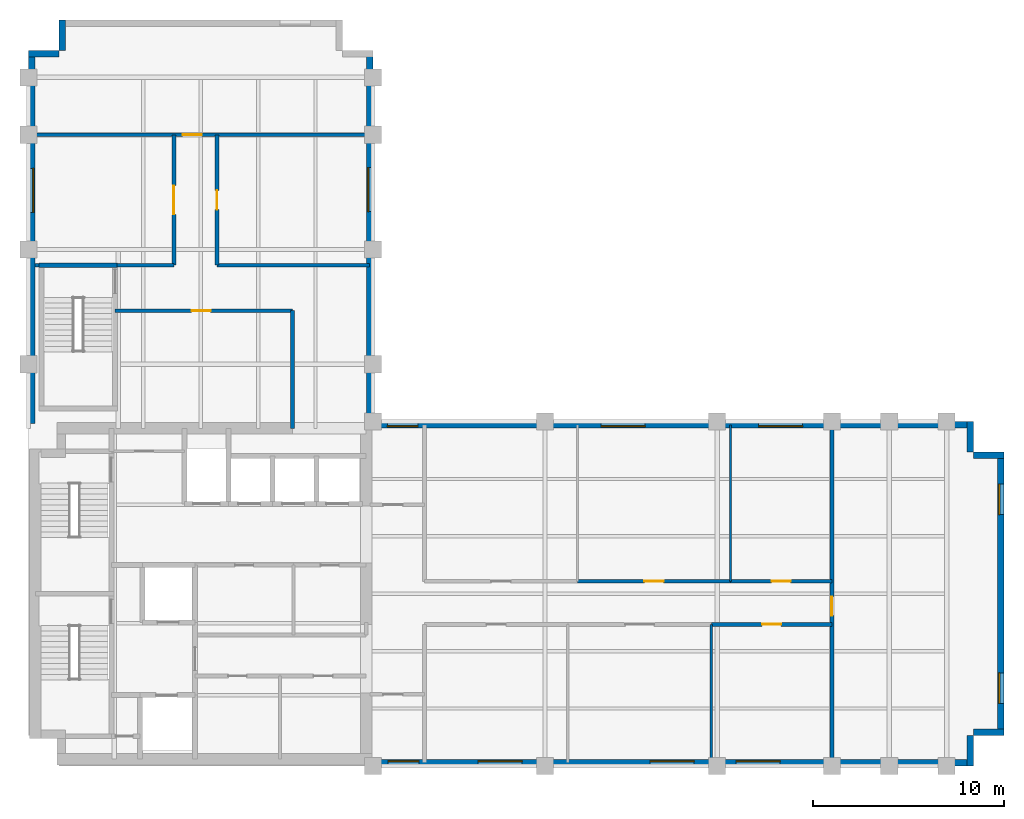
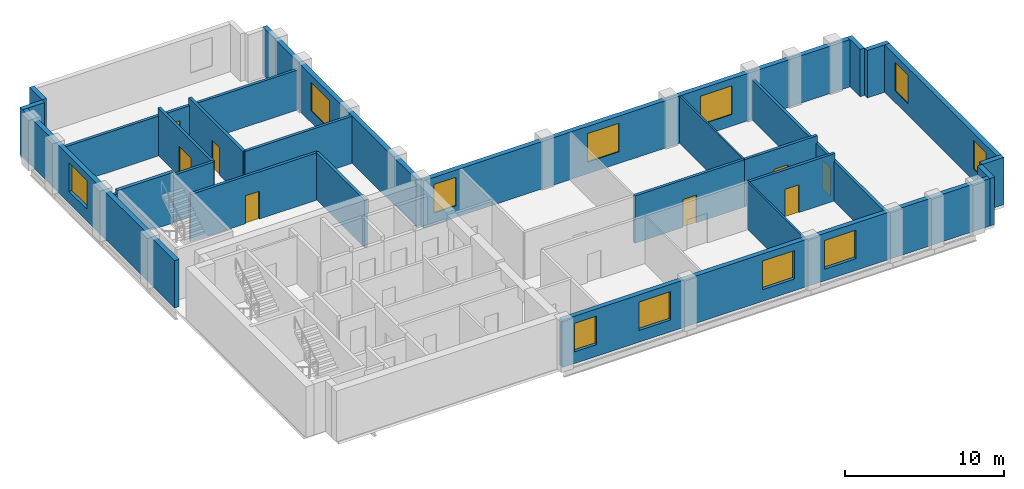
# One storey, part 4 of 6: 26 walls, 11 windows, 8 doors, 19 openings.
"""IFC4 building model written with IfcOpenShell, lengths in metres."""

from ifc_helpers import new_model, si_unit, direction, frame, frame_2d, origin, place, context, subcontext, project, spatial, rectangle, extrude, material, layer, layer_set, type_object, element, fill, save


model = new_model("IFC4")

# Units and contexts
model_context = context("Model", 3, precision=1e-05, world=origin(), true_north=direction((0.0, 1.0)))
body_context = subcontext(model_context, "Body", "Model", "MODEL_VIEW")
ifc_project = project(units=[si_unit("LENGTHUNIT", "METRE"), si_unit("AREAUNIT", "SQUARE_METRE"), si_unit("VOLUMEUNIT", "CUBIC_METRE"), si_unit("PLANEANGLEUNIT", "RADIAN"), si_unit("MASSUNIT", "GRAM", prefix="KILO")], contexts=[model_context])

# Site, building, storey
site_placement = place(None, origin())
site = spatial("IfcSite", under=ifc_project, at=site_placement, CompositionType="ELEMENT")
building_placement = place(site_placement, origin())
building = spatial("IfcBuilding", under=site, at=building_placement, Name="Mawjdan Bourse Tower", CompositionType="ELEMENT")
storey_placement = place(building_placement, frame((0.0, 0.0, 219.0)))
storey = spatial("IfcBuildingStorey", under=building, at=storey_placement, Name="L53", CompositionType="ELEMENT", Elevation=219.0)

# Wall, openings, windows
ifc_material_1 = material(Name="Brick Masonry Buff", Category="masonry")
ifc_layer_1 = layer(ifc_material_1, 0.340087890625)
ifc_layer_set_1 = layer_set([ifc_layer_1], Name="Brick Masonry Buff")
wall_type_1 = type_object("IfcWallType", Name="WL-BRK-SPN-340", PredefinedType="STANDARD", material=ifc_layer_set_1)
wall_1_placement = place(storey_placement, frame((23.89990234375, 3.169921875, 0.0), z_axis=(0.0, 0.0, 1.0), x_axis=(1.0, 0.0, 0.0)))
wall_1 = element("IfcWall", 1, at=wall_1_placement, inside=storey, type_object=wall_type_1, Name="L53 Exterior Brick Wall 1", PredefinedType="STANDARD", context=body_context, shape_type="SweptSolid", body=[
    extrude(rectangle(XDim=31.5, YDim=0.340087890625, at=frame_2d((15.75, 0.0))), origin(), (0.0, 0.0, 1.0), 3.64990234375),
])
opening_1_placement = place(wall_1_placement, frame((5.60009765625, 0.0, 0.89990234375)))
opening_1 = element("IfcOpeningElement", 2, at=opening_1_placement, cuts=wall_1, Name="Opening W-L53-01", PredefinedType="OPENING", context=body_context, shape_type="SweptSolid", body=[
    extrude(rectangle(XDim=2.300048828125, YDim=2.199951171875, at=frame_2d((1.14990234375, 1.10009765625))), frame((0.0, 0.18017578125, 0.0), z_axis=(0.0, -1.0, 0.0), x_axis=(1.0, 0.0, 0.0)), (0.0, 0.0, 1.0), 0.360107421875),
])
opening_2_placement = place(wall_1_placement, frame((14.60009765625, 0.0, 0.89990234375)))
opening_2 = element("IfcOpeningElement", 3, at=opening_2_placement, cuts=wall_1, Name="Opening W-L53-02", PredefinedType="OPENING", context=body_context, shape_type="SweptSolid", body=[
    extrude(rectangle(XDim=2.300048828125, YDim=2.199951171875, at=frame_2d((1.14990234375, 1.10009765625))), frame((0.0, 0.18017578125, 0.0), z_axis=(0.0, -1.0, 0.0), x_axis=(1.0, 0.0, 0.0)), (0.0, 0.0, 1.0), 0.360107421875),
])
opening_3_placement = place(wall_1_placement, frame((19.10009765625, 0.0, 0.89990234375)))
opening_3 = element("IfcOpeningElement", 4, at=opening_3_placement, cuts=wall_1, Name="Opening W-L53-03", PredefinedType="OPENING", context=body_context, shape_type="SweptSolid", body=[
    extrude(rectangle(XDim=2.300048828125, YDim=2.199951171875, at=frame_2d((1.14990234375, 1.10009765625))), frame((0.0, 0.18017578125, 0.0), z_axis=(0.0, -1.0, 0.0), x_axis=(1.0, 0.0, 0.0)), (0.0, 0.0, 1.0), 0.360107421875),
])
opening_4_placement = place(wall_1_placement, frame((0.89990234375, 0.0, 0.89990234375)))
opening_4 = element("IfcOpeningElement", 5, at=opening_4_placement, cuts=wall_1, Name="Opening W-L53-10", PredefinedType="OPENING", context=body_context, shape_type="SweptSolid", body=[
    extrude(rectangle(XDim=1.60009765625, YDim=2.199951171875, at=frame_2d((0.800048828125, 1.10009765625))), frame((0.0, 0.18017578125, 0.0), z_axis=(0.0, -1.0, 0.0), x_axis=(1.0, 0.0, 0.0)), (0.0, 0.0, 1.0), 0.360107421875),
])
ifc_material_2 = material(Name="Solar-Control Clear Double Glazing", Category="glass")
window_type_1 = type_object("IfcWindowType", Name="WN-Z3-1600", PartitioningType="SINGLE_PANEL", PredefinedType="WINDOW", material=ifc_material_2)
window_1_placement = place(opening_4_placement, origin())
window_1 = element("IfcWindow", 6, at=window_1_placement, inside=storey, type_object=window_type_1, Name="L53 Deep-Set Masonry Window W-L53-10", OverallHeight=2.199951171875, OverallWidth=1.60009765625, PartitioningType="SINGLE_PANEL", PredefinedType="WINDOW", context=body_context, shape_type="SweptSolid", body=[
    extrude(rectangle(XDim=1.60009765625, YDim=2.199951171875, at=frame_2d((0.800048828125, 1.10009765625))), frame((0.0, 0.110107421875, 0.0), z_axis=(0.0, -1.0, 0.0), x_axis=(1.0, 0.0, 0.0)), (0.0, 0.0, 1.0), 0.06005859375),
])
fill(opening_4, window_1)
window_type_2 = type_object("IfcWindowType", Name="WN-Z3-2300", PartitioningType="SINGLE_PANEL", PredefinedType="WINDOW", material=ifc_material_2)
window_2_placement = place(opening_1_placement, origin())
window_2 = element("IfcWindow", 7, at=window_2_placement, inside=storey, type_object=window_type_2, Name="L53 Deep-Set Masonry Window W-L53-01", OverallHeight=2.199951171875, OverallWidth=2.300048828125, PartitioningType="SINGLE_PANEL", PredefinedType="WINDOW", context=body_context, shape_type="SweptSolid", body=[
    extrude(rectangle(XDim=2.300048828125, YDim=2.199951171875, at=frame_2d((1.14990234375, 1.10009765625))), frame((0.0, 0.110107421875, 0.0), z_axis=(0.0, -1.0, 0.0), x_axis=(1.0, 0.0, 0.0)), (0.0, 0.0, 1.0), 0.06005859375),
])
fill(opening_1, window_2)
window_3_placement = place(opening_2_placement, origin())
window_3 = element("IfcWindow", 8, at=window_3_placement, inside=storey, type_object=window_type_2, Name="L53 Deep-Set Masonry Window W-L53-02", OverallHeight=2.199951171875, OverallWidth=2.300048828125, PartitioningType="SINGLE_PANEL", PredefinedType="WINDOW", context=body_context, shape_type="SweptSolid", body=[
    extrude(rectangle(XDim=2.300048828125, YDim=2.199951171875, at=frame_2d((1.14990234375, 1.10009765625))), frame((0.0, 0.110107421875, 0.0), z_axis=(0.0, -1.0, 0.0), x_axis=(1.0, 0.0, 0.0)), (0.0, 0.0, 1.0), 0.06005859375),
])
fill(opening_2, window_3)
window_4_placement = place(opening_3_placement, origin())
window_4 = element("IfcWindow", 9, at=window_4_placement, inside=storey, type_object=window_type_2, Name="L53 Deep-Set Masonry Window W-L53-03", OverallHeight=2.199951171875, OverallWidth=2.300048828125, PartitioningType="SINGLE_PANEL", PredefinedType="WINDOW", context=body_context, shape_type="SweptSolid", body=[
    extrude(rectangle(XDim=2.300048828125, YDim=2.199951171875, at=frame_2d((1.14990234375, 1.10009765625))), frame((0.0, 0.110107421875, 0.0), z_axis=(0.0, -1.0, 0.0), x_axis=(1.0, 0.0, 0.0)), (0.0, 0.0, 1.0), 0.06005859375),
])
fill(opening_3, window_4)

# Walls
for number, where, z_axis, x_axis, name in (
    (10, (55.22998046875, 3.0, 0.0), (0.0, 0.0, 1.0), (0.0, 1.0, 0.0), "L53 Exterior Brick Wall 2"),
    (11, (55.39990234375, 4.77001953125, 0.0), (0.0, 0.0, 1.0), (1.0, 0.0, 0.0), "L53 Exterior Brick Wall 3"),
):
    element("IfcWall", number, at=place(storey_placement, frame(where, z_axis=z_axis, x_axis=x_axis)), inside=storey, type_object=wall_type_1, Name=name, PredefinedType="STANDARD", context=body_context, shape_type="SweptSolid", body=[
        extrude(rectangle(XDim=1.60009765625, YDim=0.340087890625, at=frame_2d((0.800048828125, 0.0))), origin(), (0.0, 0.0, 1.0), 3.64990234375),
    ])

# Wall, openings, windows
wall_2_placement = place(storey_placement, frame((56.830078125, 4.60009765625, 0.0), z_axis=(0.0, 0.0, 1.0), x_axis=(0.0, 1.0, 0.0)))
wall_2 = element("IfcWall", 12, at=wall_2_placement, inside=storey, type_object=wall_type_1, Name="L53 Exterior Brick Wall 4", PredefinedType="STANDARD", context=body_context, shape_type="SweptSolid", body=[
    extrude(rectangle(XDim=14.7998046875, YDim=0.340087890625, at=frame_2d((7.39990234375, 0.0))), origin(), (0.0, 0.0, 1.0), 3.64990234375),
])
opening_5_placement = place(wall_2_placement, frame((1.666748046875, 0.0, 0.89990234375)))
opening_5 = element("IfcOpeningElement", 13, at=opening_5_placement, cuts=wall_2, Name="Opening W-L53-04", PredefinedType="OPENING", context=body_context, shape_type="SweptSolid", body=[
    extrude(rectangle(XDim=1.60009765625, YDim=2.199951171875, at=frame_2d((0.800048828125, 1.10009765625))), frame((0.0, 0.18017578125, 0.0), z_axis=(0.0, -1.0, 0.0), x_axis=(1.0, 0.0, 0.0)), (0.0, 0.0, 1.0), 0.360107421875),
])
opening_6_placement = place(wall_2_placement, frame((11.533203125, 0.0, 0.89990234375)))
opening_6 = element("IfcOpeningElement", 14, at=opening_6_placement, cuts=wall_2, Name="Opening W-L53-05", PredefinedType="OPENING", context=body_context, shape_type="SweptSolid", body=[
    extrude(rectangle(XDim=1.60009765625, YDim=2.199951171875, at=frame_2d((0.800048828125, 1.10009765625))), frame((0.0, 0.18017578125, 0.0), z_axis=(0.0, -1.0, 0.0), x_axis=(1.0, 0.0, 0.0)), (0.0, 0.0, 1.0), 0.360107421875),
])
window_5_placement = place(opening_5_placement, origin())
window_5 = element("IfcWindow", 15, at=window_5_placement, inside=storey, type_object=window_type_1, Name="L53 Deep-Set Masonry Window W-L53-04", OverallHeight=2.199951171875, OverallWidth=1.60009765625, PartitioningType="SINGLE_PANEL", PredefinedType="WINDOW", context=body_context, shape_type="SweptSolid", body=[
    extrude(rectangle(XDim=1.60009765625, YDim=2.199951171875, at=frame_2d((0.800048828125, 1.10009765625))), frame((0.0, 0.110107421875, 0.0), z_axis=(0.0, -1.0, 0.0), x_axis=(1.0, 0.0, 0.0)), (0.0, 0.0, 1.0), 0.06005859375),
])
fill(opening_5, window_5)
window_6_placement = place(opening_6_placement, origin())
window_6 = element("IfcWindow", 16, at=window_6_placement, inside=storey, type_object=window_type_1, Name="L53 Deep-Set Masonry Window W-L53-05", OverallHeight=2.199951171875, OverallWidth=1.60009765625, PartitioningType="SINGLE_PANEL", PredefinedType="WINDOW", context=body_context, shape_type="SweptSolid", body=[
    extrude(rectangle(XDim=1.60009765625, YDim=2.199951171875, at=frame_2d((0.800048828125, 1.10009765625))), frame((0.0, 0.110107421875, 0.0), z_axis=(0.0, -1.0, 0.0), x_axis=(1.0, 0.0, 0.0)), (0.0, 0.0, 1.0), 0.06005859375),
])
fill(opening_6, window_6)

# Walls
for number, where, z_axis, x_axis, name in (
    (17, (57.0, 19.22998046875, 0.0), (0.0, 0.0, 1.0), (-1.0, 0.0, 0.0), "L53 Exterior Brick Wall 5"),
    (18, (55.22998046875, 19.39990234375, 0.0), (0.0, 0.0, 1.0), (0.0, 1.0, 0.0), "L53 Exterior Brick Wall 6"),
):
    element("IfcWall", number, at=place(storey_placement, frame(where, z_axis=z_axis, x_axis=x_axis)), inside=storey, type_object=wall_type_1, Name=name, PredefinedType="STANDARD", context=body_context, shape_type="SweptSolid", body=[
        extrude(rectangle(XDim=1.60009765625, YDim=0.340087890625, at=frame_2d((0.800048828125, 0.0))), origin(), (0.0, 0.0, 1.0), 3.64990234375),
    ])

# Wall, openings, windows
wall_3_placement = place(storey_placement, frame((55.39990234375, 20.830078125, 0.0), z_axis=(0.0, 0.0, 1.0), x_axis=(-1.0, 0.0, 0.0)))
wall_3 = element("IfcWall", 19, at=wall_3_placement, inside=storey, type_object=wall_type_1, Name="L53 Exterior Brick Wall 7", PredefinedType="STANDARD", context=body_context, shape_type="SweptSolid", body=[
    extrude(rectangle(XDim=31.39990234375, YDim=0.340087890625, at=frame_2d((15.699951171875, 0.0))), origin(), (0.0, 0.0, 1.0), 3.64990234375),
])
opening_7_placement = place(wall_3_placement, frame((17.166748046875, 0.0, 0.89990234375)))
opening_7 = element("IfcOpeningElement", 20, at=opening_7_placement, cuts=wall_3, Name="Opening W-L53-06", PredefinedType="OPENING", context=body_context, shape_type="SweptSolid", body=[
    extrude(rectangle(XDim=2.300048828125, YDim=2.199951171875, at=frame_2d((1.14990234375, 1.10009765625))), frame((0.0, 0.18017578125, 0.0), z_axis=(0.0, -1.0, 0.0), x_axis=(1.0, 0.0, 0.0)), (0.0, 0.0, 1.0), 0.360107421875),
])
opening_8_placement = place(wall_3_placement, frame((29.0458984375, 0.0, 0.89990234375)))
opening_8 = element("IfcOpeningElement", 21, at=opening_8_placement, cuts=wall_3, Name="Opening W-L53-11", PredefinedType="OPENING", context=body_context, shape_type="SweptSolid", body=[
    extrude(rectangle(XDim=1.60009765625, YDim=2.199951171875, at=frame_2d((0.800048828125, 1.10009765625))), frame((0.0, 0.18017578125, 0.0), z_axis=(0.0, -1.0, 0.0), x_axis=(1.0, 0.0, 0.0)), (0.0, 0.0, 1.0), 0.360107421875),
])
opening_9_placement = place(wall_3_placement, frame((8.9248046875, 0.0, 0.89990234375)))
opening_9 = element("IfcOpeningElement", 22, at=opening_9_placement, cuts=wall_3, Name="Opening W-L53-12", PredefinedType="OPENING", context=body_context, shape_type="SweptSolid", body=[
    extrude(rectangle(XDim=2.300048828125, YDim=2.199951171875, at=frame_2d((1.14990234375, 1.10009765625))), frame((0.0, 0.18017578125, 0.0), z_axis=(0.0, -1.0, 0.0), x_axis=(1.0, 0.0, 0.0)), (0.0, 0.0, 1.0), 0.360107421875),
])
window_7_placement = place(opening_8_placement, origin())
window_7 = element("IfcWindow", 23, at=window_7_placement, inside=storey, type_object=window_type_1, Name="L53 Deep-Set Masonry Window W-L53-11", OverallHeight=2.199951171875, OverallWidth=1.60009765625, PartitioningType="SINGLE_PANEL", PredefinedType="WINDOW", context=body_context, shape_type="SweptSolid", body=[
    extrude(rectangle(XDim=1.60009765625, YDim=2.199951171875, at=frame_2d((0.800048828125, 1.10009765625))), frame((0.0, 0.110107421875, 0.0), z_axis=(0.0, -1.0, 0.0), x_axis=(1.0, 0.0, 0.0)), (0.0, 0.0, 1.0), 0.06005859375),
])
fill(opening_8, window_7)
window_8_placement = place(opening_7_placement, origin())
window_8 = element("IfcWindow", 24, at=window_8_placement, inside=storey, type_object=window_type_2, Name="L53 Deep-Set Masonry Window W-L53-06", OverallHeight=2.199951171875, OverallWidth=2.300048828125, PartitioningType="SINGLE_PANEL", PredefinedType="WINDOW", context=body_context, shape_type="SweptSolid", body=[
    extrude(rectangle(XDim=2.300048828125, YDim=2.199951171875, at=frame_2d((1.14990234375, 1.10009765625))), frame((0.0, 0.110107421875, 0.0), z_axis=(0.0, -1.0, 0.0), x_axis=(1.0, 0.0, 0.0)), (0.0, 0.0, 1.0), 0.06005859375),
])
fill(opening_7, window_8)
window_9_placement = place(opening_9_placement, origin())
window_9 = element("IfcWindow", 25, at=window_9_placement, inside=storey, type_object=window_type_2, Name="L53 Deep-Set Masonry Window W-L53-12", OverallHeight=2.199951171875, OverallWidth=2.300048828125, PartitioningType="SINGLE_PANEL", PredefinedType="WINDOW", context=body_context, shape_type="SweptSolid", body=[
    extrude(rectangle(XDim=2.300048828125, YDim=2.199951171875, at=frame_2d((1.14990234375, 1.10009765625))), frame((0.0, 0.110107421875, 0.0), z_axis=(0.0, -1.0, 0.0), x_axis=(1.0, 0.0, 0.0)), (0.0, 0.0, 1.0), 0.06005859375),
])
fill(opening_9, window_9)

# Wall, opening, window
wall_4_placement = place(storey_placement, frame((23.830078125, 21.0, 0.0), z_axis=(0.0, 0.0, 1.0), x_axis=(0.0, 1.0, 0.0)))
wall_4 = element("IfcWall", 26, at=wall_4_placement, inside=storey, type_object=wall_type_1, Name="L53 Exterior Brick Wall 8", PredefinedType="STANDARD", context=body_context, shape_type="SweptSolid", body=[
    extrude(rectangle(XDim=19.39990234375, YDim=0.340087890625, at=frame_2d((9.699951171875, 0.0))), origin(), (0.0, 0.0, 1.0), 3.64990234375),
])
opening_10_placement = place(wall_4_placement, frame((10.97509765625, 0.0, 0.89990234375)))
opening_10 = element("IfcOpeningElement", 27, at=opening_10_placement, cuts=wall_4, Name="Opening W-L53-07", PredefinedType="OPENING", context=body_context, shape_type="SweptSolid", body=[
    extrude(rectangle(XDim=2.300048828125, YDim=2.199951171875, at=frame_2d((1.14990234375, 1.10009765625))), frame((0.0, 0.18017578125, 0.0), z_axis=(0.0, -1.0, 0.0), x_axis=(1.0, 0.0, 0.0)), (0.0, 0.0, 1.0), 0.360107421875),
])
window_10_placement = place(opening_10_placement, origin())
window_10 = element("IfcWindow", 28, at=window_10_placement, inside=storey, type_object=window_type_2, Name="L53 Deep-Set Masonry Window W-L53-07", OverallHeight=2.199951171875, OverallWidth=2.300048828125, PartitioningType="SINGLE_PANEL", PredefinedType="WINDOW", context=body_context, shape_type="SweptSolid", body=[
    extrude(rectangle(XDim=2.300048828125, YDim=2.199951171875, at=frame_2d((1.14990234375, 1.10009765625))), frame((0.0, 0.110107421875, 0.0), z_axis=(0.0, -1.0, 0.0), x_axis=(1.0, 0.0, 0.0)), (0.0, 0.0, 1.0), 0.06005859375),
])
fill(opening_10, window_10)

# Walls
for number, where, z_axis, x_axis, name in (
    (29, (7.77001953125, 42.0, 0.0), (0.0, 0.0, 1.0), (0.0, -1.0, 0.0), "L53 Exterior Brick Wall 12"),
    (30, (7.60009765625, 40.22998046875, 0.0), (0.0, 0.0, 1.0), (-1.0, 0.0, 0.0), "L53 Exterior Brick Wall 13"),
):
    element("IfcWall", number, at=place(storey_placement, frame(where, z_axis=z_axis, x_axis=x_axis)), inside=storey, type_object=wall_type_1, Name=name, PredefinedType="STANDARD", context=body_context, shape_type="SweptSolid", body=[
        extrude(rectangle(XDim=1.60009765625, YDim=0.340087890625, at=frame_2d((0.800048828125, 0.0))), origin(), (0.0, 0.0, 1.0), 3.64990234375),
    ])

# Wall, opening, window
wall_5_placement = place(storey_placement, frame((6.169921875, 40.39990234375, 0.0), z_axis=(0.0, 0.0, 1.0), x_axis=(0.0, -1.0, 0.0)))
wall_5 = element("IfcWall", 31, at=wall_5_placement, inside=storey, type_object=wall_type_1, Name="L53 Exterior Brick Wall 14", PredefinedType="STANDARD", context=body_context, shape_type="SweptSolid", body=[
    extrude(rectangle(XDim=19.5, YDim=0.340087890625, at=frame_2d((9.75, 0.0))), origin(), (0.0, 0.0, 1.0), 3.64990234375),
])
opening_11_placement = place(wall_5_placement, frame((6.16259765625, 0.0, 0.89990234375)))
opening_11 = element("IfcOpeningElement", 32, at=opening_11_placement, cuts=wall_5, Name="Opening W-L53-09", PredefinedType="OPENING", context=body_context, shape_type="SweptSolid", body=[
    extrude(rectangle(XDim=2.300048828125, YDim=2.199951171875, at=frame_2d((1.14990234375, 1.10009765625))), frame((0.0, 0.18017578125, 0.0), z_axis=(0.0, -1.0, 0.0), x_axis=(1.0, 0.0, 0.0)), (0.0, 0.0, 1.0), 0.360107421875),
])
window_11_placement = place(opening_11_placement, origin())
window_11 = element("IfcWindow", 33, at=window_11_placement, inside=storey, type_object=window_type_2, Name="L53 Deep-Set Masonry Window W-L53-09", OverallHeight=2.199951171875, OverallWidth=2.300048828125, PartitioningType="SINGLE_PANEL", PredefinedType="WINDOW", context=body_context, shape_type="SweptSolid", body=[
    extrude(rectangle(XDim=2.300048828125, YDim=2.199951171875, at=frame_2d((1.14990234375, 1.10009765625))), frame((0.0, 0.110107421875, 0.0), z_axis=(0.0, -1.0, 0.0), x_axis=(1.0, 0.0, 0.0)), (0.0, 0.0, 1.0), 0.06005859375),
])
fill(opening_11, window_11)

# Wall, opening, door
ifc_material_3 = material(Name="Gypsum Fireboard Assembly")
ifc_layer_2 = layer(ifc_material_3, 0.199951171875)
ifc_layer_set_2 = layer_set([ifc_layer_2], Name="Gypsum Fireboard Assembly")
wall_type_2 = type_object("IfcWallType", Name="WL-CMP-200", PredefinedType="PARTITIONING", material=ifc_layer_set_2)
wall_6_placement = place(storey_placement, frame((41.699951171875, 10.39990234375, 0.0), z_axis=(0.0, 0.0, 1.0), x_axis=(1.0, 0.0, 0.0)))
wall_6 = element("IfcWall", 34, at=wall_6_placement, inside=storey, type_object=wall_type_2, Name="L53 Executive Office Corridor Wall", PredefinedType="PARTITIONING", context=body_context, shape_type="SweptSolid", body=[
    extrude(rectangle(XDim=6.300048828125, YDim=0.199951171875, at=frame_2d((3.14990234375, 0.0))), origin(), (0.0, 0.0, 1.0), 3.639892578125),
])
opening_12_placement = place(wall_6_placement, frame((2.64990234375, 0.0, 0.0)))
opening_12 = element("IfcOpeningElement", 35, at=opening_12_placement, cuts=wall_6, Name="Opening D-L53-23", PredefinedType="OPENING", context=body_context, shape_type="SweptSolid", body=[
    extrude(rectangle(XDim=1.0, YDim=2.14990234375, at=frame_2d((0.5, 1.074951171875))), frame((0.0, 0.10986328125, 0.0), z_axis=(0.0, -1.0, 0.0), x_axis=(1.0, 0.0, 0.0)), (0.0, 0.0, 1.0), 0.219970703125),
])
ifc_material_4 = material(Name="Hardwood Acoustic Leaf", Category="wood")
door_type_1 = type_object("IfcDoorType", Name="DR-OFC-1000", OperationType="NOTDEFINED", PredefinedType="DOOR", material=ifc_material_4)
door_1_placement = place(opening_12_placement, origin())
door_1 = element("IfcDoor", 36, at=door_1_placement, inside=storey, type_object=door_type_1, Name="L53 Executive Office Door D-L53-23", OperationType="SINGLE_SWING_LEFT", OverallHeight=2.14990234375, OverallWidth=1.0, PredefinedType="DOOR", context=body_context, shape_type="SweptSolid", body=[
    extrude(rectangle(XDim=1.0, YDim=2.14990234375, at=frame_2d((0.5, 1.074951171875))), frame((0.0, 0.02490234375, 0.0), z_axis=(0.0, -1.0, 0.0), x_axis=(1.0, 0.0, 0.0)), (0.0, 0.0, 1.0), 0.050048828125),
])
fill(opening_12, door_1)

wall_7_placement = place(storey_placement, frame((34.699951171875, 12.64990234375, 0.0), z_axis=(0.0, 0.0, 1.0), x_axis=(1.0, 0.0, 0.0)))
wall_7 = element("IfcWall", 37, at=wall_7_placement, inside=storey, type_object=wall_type_2, Name="L53 Valuation Office Corridor Wall", PredefinedType="PARTITIONING", context=body_context, shape_type="SweptSolid", body=[
    extrude(rectangle(XDim=8.0, YDim=0.199951171875, at=frame_2d((4.0, 0.0))), origin(), (0.0, 0.0, 1.0), 3.639892578125),
])
opening_13_placement = place(wall_7_placement, frame((3.5, 0.0, 0.0)))
opening_13 = element("IfcOpeningElement", 38, at=opening_13_placement, cuts=wall_7, Name="Opening D-L53-25", PredefinedType="OPENING", context=body_context, shape_type="SweptSolid", body=[
    extrude(rectangle(XDim=1.0, YDim=2.14990234375, at=frame_2d((0.5, 1.074951171875))), frame((0.0, 0.10986328125, 0.0), z_axis=(0.0, -1.0, 0.0), x_axis=(1.0, 0.0, 0.0)), (0.0, 0.0, 1.0), 0.219970703125),
])
door_2_placement = place(opening_13_placement, origin())
door_2 = element("IfcDoor", 39, at=door_2_placement, inside=storey, type_object=door_type_1, Name="L53 Valuation Office Door D-L53-25", OperationType="SINGLE_SWING_LEFT", OverallHeight=2.14990234375, OverallWidth=1.0, PredefinedType="DOOR", context=body_context, shape_type="SweptSolid", body=[
    extrude(rectangle(XDim=1.0, YDim=2.14990234375, at=frame_2d((0.5, 1.074951171875))), frame((0.0, 0.02490234375, 0.0), z_axis=(0.0, -1.0, 0.0), x_axis=(1.0, 0.0, 0.0)), (0.0, 0.0, 1.0), 0.050048828125),
])
fill(opening_13, door_2)

wall_8_placement = place(storey_placement, frame((42.699951171875, 12.64990234375, 0.0), z_axis=(0.0, 0.0, 1.0), x_axis=(1.0, 0.0, 0.0)))
wall_8 = element("IfcWall", 40, at=wall_8_placement, inside=storey, type_object=wall_type_2, Name="L53 Client Reception Corridor Wall", PredefinedType="PARTITIONING", context=body_context, shape_type="SweptSolid", body=[
    extrude(rectangle(XDim=5.300048828125, YDim=0.199951171875, at=frame_2d((2.64990234375, 0.0))), origin(), (0.0, 0.0, 1.0), 3.639892578125),
])
opening_14_placement = place(wall_8_placement, frame((2.14990234375, 0.0, 0.0)))
opening_14 = element("IfcOpeningElement", 41, at=opening_14_placement, cuts=wall_8, Name="Opening D-L53-26", PredefinedType="OPENING", context=body_context, shape_type="SweptSolid", body=[
    extrude(rectangle(XDim=1.0, YDim=2.14990234375, at=frame_2d((0.5, 1.074951171875))), frame((0.0, 0.10986328125, 0.0), z_axis=(0.0, -1.0, 0.0), x_axis=(1.0, 0.0, 0.0)), (0.0, 0.0, 1.0), 0.219970703125),
])
door_3_placement = place(opening_14_placement, origin())
door_3 = element("IfcDoor", 42, at=door_3_placement, inside=storey, type_object=door_type_1, Name="L53 Client Reception Door D-L53-26", OperationType="SINGLE_SWING_RIGHT", OverallHeight=2.14990234375, OverallWidth=1.0, PredefinedType="DOOR", context=body_context, shape_type="SweptSolid", body=[
    extrude(rectangle(XDim=1.0, YDim=2.14990234375, at=frame_2d((0.5, 1.074951171875))), frame((0.0, 0.02490234375, 0.0), z_axis=(0.0, -1.0, 0.0), x_axis=(1.0, 0.0, 0.0)), (0.0, 0.0, 1.0), 0.050048828125),
])
fill(opening_14, door_3)

wall_9_placement = place(storey_placement, frame((48.0, 3.179931640625, 0.0), z_axis=(0.0, 0.0, 1.0), x_axis=(0.0, 1.0, 0.0)))
wall_9 = element("IfcWall", 43, at=wall_9_placement, inside=storey, type_object=wall_type_2, Name="L53 East Tip Full Cross Wall", PredefinedType="PARTITIONING", context=body_context, shape_type="SweptSolid", body=[
    extrude(rectangle(XDim=17.64013671875, YDim=0.199951171875, at=frame_2d((8.820068359375, 0.0))), origin(), (0.0, 0.0, 1.0), 3.072998046875),
])
opening_15_placement = place(wall_9_placement, frame((7.675048828125, 0.0, 0.0)))
opening_15 = element("IfcOpeningElement", 44, at=opening_15_placement, cuts=wall_9, Name="Opening D-L53-27", PredefinedType="OPENING", context=body_context, shape_type="SweptSolid", body=[
    extrude(rectangle(XDim=1.0, YDim=2.14990234375, at=frame_2d((0.5, 1.074951171875))), frame((0.0, 0.10986328125, 0.0), z_axis=(0.0, -1.0, 0.0), x_axis=(1.0, 0.0, 0.0)), (0.0, 0.0, 1.0), 0.219970703125),
])
door_4_placement = place(opening_15_placement, origin())
door_4 = element("IfcDoor", 45, at=door_4_placement, inside=storey, type_object=door_type_1, Name="L53 East Tip Hall Door D-L53-27", OperationType="SINGLE_SWING_LEFT", OverallHeight=2.14990234375, OverallWidth=1.0, PredefinedType="DOOR", context=body_context, shape_type="SweptSolid", body=[
    extrude(rectangle(XDim=1.0, YDim=2.14990234375, at=frame_2d((0.5, 1.074951171875))), frame((0.0, 0.02490234375, 0.0), z_axis=(0.0, -1.0, 0.0), x_axis=(1.0, 0.0, 0.0)), (0.0, 0.0, 1.0), 0.050048828125),
])
fill(opening_15, door_4)

wall_10_placement = place(storey_placement, frame((10.52001953125, 26.800048828125, 0.0), z_axis=(0.0, 0.0, 1.0), x_axis=(1.0, 0.0, 0.0)))
wall_10 = element("IfcWall", 46, at=wall_10_placement, inside=storey, type_object=wall_type_2, Name="L53 North Throat North Wall", PredefinedType="PARTITIONING", context=body_context, shape_type="SweptSolid", body=[
    extrude(rectangle(XDim=9.280029296875, YDim=0.199951171875, at=frame_2d((4.64013671875, 0.0))), origin(), (0.0, 0.0, 1.0), 3.639892578125),
])
opening_16_placement = place(wall_10_placement, frame((4.0, 0.0, 0.0)))
opening_16 = element("IfcOpeningElement", 47, at=opening_16_placement, cuts=wall_10, Name="Opening D-L53-28", PredefinedType="OPENING", context=body_context, shape_type="SweptSolid", body=[
    extrude(rectangle(XDim=1.0, YDim=2.14990234375, at=frame_2d((0.5, 1.074951171875))), frame((0.0, 0.10986328125, 0.0), z_axis=(0.0, -1.0, 0.0), x_axis=(1.0, 0.0, 0.0)), (0.0, 0.0, 1.0), 0.219970703125),
])
door_5_placement = place(opening_16_placement, origin())
door_5 = element("IfcDoor", 48, at=door_5_placement, inside=storey, type_object=door_type_1, Name="L53 North Throat Suite Door D-L53-28", OperationType="SINGLE_SWING_RIGHT", OverallHeight=2.14990234375, OverallWidth=1.0, PredefinedType="DOOR", context=body_context, shape_type="SweptSolid", body=[
    extrude(rectangle(XDim=1.0, YDim=2.14990234375, at=frame_2d((0.5, 1.074951171875))), frame((0.0, 0.02490234375, 0.0), z_axis=(0.0, -1.0, 0.0), x_axis=(1.0, 0.0, 0.0)), (0.0, 0.0, 1.0), 0.050048828125),
])
fill(opening_16, door_5)

# Walls
wall_11_placement = place(storey_placement, frame((19.800048828125, 20.64990234375, 0.0), z_axis=(0.0, 0.0, 1.0), x_axis=(0.0, 1.0, 0.0)))
element("IfcWall", 49, at=wall_11_placement, inside=storey, type_object=wall_type_2, Name="L53 North Throat East Wall", PredefinedType="PARTITIONING", context=body_context, shape_type="SweptSolid", body=[
    extrude(rectangle(XDim=6.150146484375, YDim=0.199951171875, at=frame_2d((3.0751953125, 0.0))), origin(), (0.0, 0.0, 1.0), 3.639892578125),
])
wall_12_placement = place(storey_placement, frame((6.340087890625, 29.179931640625, 0.0), z_axis=(0.0, 0.0, 1.0), x_axis=(1.0, 0.0, 0.0)))
element("IfcWall", 50, at=wall_12_placement, inside=storey, type_object=wall_type_2, Name="L53 North West Band ST3 West Return", PredefinedType="PARTITIONING", context=body_context, shape_type="SweptSolid", body=[
    extrude(rectangle(XDim=0.21484375, YDim=0.199951171875, at=frame_2d((0.107421875, 0.0))), origin(), (0.0, 0.0, 1.0), 3.639892578125),
])
wall_13_placement = place(storey_placement, frame((10.6298828125, 29.179931640625, 0.0), z_axis=(0.0, 0.0, 1.0), x_axis=(1.0, 0.0, 0.0)))
element("IfcWall", 51, at=wall_13_placement, inside=storey, type_object=wall_type_2, Name="L53 North West Band South Wall", PredefinedType="PARTITIONING", context=body_context, shape_type="SweptSolid", body=[
    extrude(rectangle(XDim=2.97021484375, YDim=0.199951171875, at=frame_2d((1.485107421875, 0.0))), origin(), (0.0, 0.0, 1.0), 3.639892578125),
])
wall_14_placement = place(storey_placement, frame((15.85009765625, 29.179931640625, 0.0), z_axis=(0.0, 0.0, 1.0), x_axis=(1.0, 0.0, 0.0)))
element("IfcWall", 52, at=wall_14_placement, inside=storey, type_object=wall_type_2, Name="L53 North East Band South Wall", PredefinedType="PARTITIONING", context=body_context, shape_type="SweptSolid", body=[
    extrude(rectangle(XDim=7.969970703125, YDim=0.199951171875, at=frame_2d((3.98486328125, 0.0))), origin(), (0.0, 0.0, 1.0), 3.639892578125),
])

# Wall, opening, door
wall_15_placement = place(storey_placement, frame((13.60009765625, 29.179931640625, 0.0), z_axis=(0.0, 0.0, 1.0), x_axis=(0.0, 1.0, 0.0)))
wall_15 = element("IfcWall", 53, at=wall_15_placement, inside=storey, type_object=wall_type_2, Name="L53 Conference Room Corridor Wall", PredefinedType="PARTITIONING", context=body_context, shape_type="SweptSolid", body=[
    extrude(rectangle(XDim=6.820068359375, YDim=0.199951171875, at=frame_2d((3.41015625, 0.0))), origin(), (0.0, 0.0, 1.0), 3.639892578125),
])
opening_17_placement = place(wall_15_placement, frame((2.659912109375, 0.0, 0.0)))
opening_17 = element("IfcOpeningElement", 54, at=opening_17_placement, cuts=wall_15, Name="Opening D-L53-29", PredefinedType="OPENING", context=body_context, shape_type="SweptSolid", body=[
    extrude(rectangle(XDim=1.5, YDim=2.300048828125, at=frame_2d((0.75, 1.14990234375))), frame((0.0, 0.10986328125, 0.0), z_axis=(0.0, -1.0, 0.0), x_axis=(1.0, 0.0, 0.0)), (0.0, 0.0, 1.0), 0.219970703125),
])
ifc_material_5 = material(Name="Acoustic Glazed Timber", Category="wood")
door_type_2 = type_object("IfcDoorType", Name="DR-CNF-1500", OperationType="DOUBLE_DOOR_SINGLE_SWING", PredefinedType="DOOR", material=ifc_material_5)
door_6_placement = place(opening_17_placement, origin())
door_6 = element("IfcDoor", 55, at=door_6_placement, inside=storey, type_object=door_type_2, Name="L53 Conference Room Door D-L53-29", OperationType="DOUBLE_DOOR_SINGLE_SWING", OverallHeight=2.300048828125, OverallWidth=1.5, PredefinedType="DOOR", context=body_context, shape_type="SweptSolid", body=[
    extrude(rectangle(XDim=1.5, YDim=2.300048828125, at=frame_2d((0.75, 1.14990234375))), frame((0.0, 0.02490234375, 0.0), z_axis=(0.0, -1.0, 0.0), x_axis=(1.0, 0.0, 0.0)), (0.0, 0.0, 1.0), 0.050048828125),
])
fill(opening_17, door_6)

wall_16_placement = place(storey_placement, frame((15.85009765625, 29.179931640625, 0.0), z_axis=(0.0, 0.0, 1.0), x_axis=(0.0, 1.0, 0.0)))
wall_16 = element("IfcWall", 56, at=wall_16_placement, inside=storey, type_object=wall_type_2, Name="L53 Valuation Office Corridor Wall", PredefinedType="PARTITIONING", context=body_context, shape_type="SweptSolid", body=[
    extrude(rectangle(XDim=6.820068359375, YDim=0.199951171875, at=frame_2d((3.41015625, 0.0))), origin(), (0.0, 0.0, 1.0), 3.639892578125),
])
opening_18_placement = place(wall_16_placement, frame((2.909912109375, 0.0, 0.0)))
opening_18 = element("IfcOpeningElement", 57, at=opening_18_placement, cuts=wall_16, Name="Opening D-L53-30", PredefinedType="OPENING", context=body_context, shape_type="SweptSolid", body=[
    extrude(rectangle(XDim=1.0, YDim=2.14990234375, at=frame_2d((0.5, 1.074951171875))), frame((0.0, 0.10986328125, 0.0), z_axis=(0.0, -1.0, 0.0), x_axis=(1.0, 0.0, 0.0)), (0.0, 0.0, 1.0), 0.219970703125),
])
door_7_placement = place(opening_18_placement, origin())
door_7 = element("IfcDoor", 58, at=door_7_placement, inside=storey, type_object=door_type_1, Name="L53 Valuation Office Door D-L53-30", OperationType="SINGLE_SWING_LEFT", OverallHeight=2.14990234375, OverallWidth=1.0, PredefinedType="DOOR", context=body_context, shape_type="SweptSolid", body=[
    extrude(rectangle(XDim=1.0, YDim=2.14990234375, at=frame_2d((0.5, 1.074951171875))), frame((0.0, 0.02490234375, 0.0), z_axis=(0.0, -1.0, 0.0), x_axis=(1.0, 0.0, 0.0)), (0.0, 0.0, 1.0), 0.050048828125),
])
fill(opening_18, door_7)

wall_17_placement = place(storey_placement, frame((6.179931640625, 36.0, 0.0), z_axis=(0.0, 0.0, 1.0), x_axis=(1.0, 0.0, 0.0)))
wall_17 = element("IfcWall", 59, at=wall_17_placement, inside=storey, type_object=wall_type_2, Name="L53 North Tip Full Cross Wall", PredefinedType="PARTITIONING", context=body_context, shape_type="SweptSolid", body=[
    extrude(rectangle(XDim=17.64013671875, YDim=0.199951171875, at=frame_2d((8.820068359375, 0.0))), origin(), (0.0, 0.0, 1.0), 3.072998046875),
])
opening_19_placement = place(wall_17_placement, frame((7.875, 0.0, 0.0)))
opening_19 = element("IfcOpeningElement", 60, at=opening_19_placement, cuts=wall_17, Name="Opening D-L53-31", PredefinedType="OPENING", context=body_context, shape_type="SweptSolid", body=[
    extrude(rectangle(XDim=1.0, YDim=2.14990234375, at=frame_2d((0.5, 1.074951171875))), frame((0.0, 0.10986328125, 0.0), z_axis=(0.0, -1.0, 0.0), x_axis=(1.0, 0.0, 0.0)), (0.0, 0.0, 1.0), 0.219970703125),
])
door_8_placement = place(opening_19_placement, origin())
door_8 = element("IfcDoor", 61, at=door_8_placement, inside=storey, type_object=door_type_1, Name="L53 North Tip Suite Door D-L53-31", OperationType="SINGLE_SWING_RIGHT", OverallHeight=2.14990234375, OverallWidth=1.0, PredefinedType="DOOR", context=body_context, shape_type="SweptSolid", body=[
    extrude(rectangle(XDim=1.0, YDim=2.14990234375, at=frame_2d((0.5, 1.074951171875))), frame((0.0, 0.02490234375, 0.0), z_axis=(0.0, -1.0, 0.0), x_axis=(1.0, 0.0, 0.0)), (0.0, 0.0, 1.0), 0.050048828125),
])
fill(opening_19, door_8)

# Walls
ifc_material_6 = material(Name="Gypsum Partition")
ifc_layer_3 = layer(ifc_material_6, 0.125)
ifc_layer_set_3 = layer_set([ifc_layer_3], Name="Gypsum Partition")
wall_type_3 = type_object("IfcWallType", Name="WL-PRT-125", PredefinedType="PARTITIONING", material=ifc_layer_set_3)
wall_18_placement = place(storey_placement, frame((41.699951171875, 3.179931640625, 0.0), z_axis=(0.0, 0.0, 1.0), x_axis=(0.0, 1.0, 0.0)))
element("IfcWall", 62, at=wall_18_placement, inside=storey, type_object=wall_type_3, Name="L53 Executive Office Partition", PredefinedType="PARTITIONING", context=body_context, shape_type="SweptSolid", body=[
    extrude(rectangle(XDim=7.219970703125, YDim=0.125, at=frame_2d((3.60986328125, 0.0))), origin(), (0.0, 0.0, 1.0), 3.639892578125),
])
wall_19_placement = place(storey_placement, frame((42.699951171875, 12.64990234375, 0.0), z_axis=(0.0, 0.0, 1.0), x_axis=(0.0, 1.0, 0.0)))
element("IfcWall", 63, at=wall_19_placement, inside=storey, type_object=wall_type_3, Name="L53 Client Reception Partition", PredefinedType="PARTITIONING", context=body_context, shape_type="SweptSolid", body=[
    extrude(rectangle(XDim=8.170166015625, YDim=0.125, at=frame_2d((4.0849609375, 0.0))), origin(), (0.0, 0.0, 1.0), 3.639892578125),
])
ifc_material_7 = material(Name="Concrete C50/60", Category="concrete")
ifc_layer_4 = layer(ifc_material_7, 0.25)
ifc_layer_set_4 = layer_set([ifc_layer_4], Name="Concrete C50/60")
wall_type_4 = type_object("IfcWallType", Name="WL-STRW-250", PredefinedType="SHEAR", material=ifc_layer_set_4)
wall_20_placement = place(storey_placement, frame((6.554931640625, 29.179931640625, 0.0), z_axis=(0.0, 0.0, 1.0), x_axis=(1.0, 0.0, 0.0)))
element("IfcWall", 64, at=wall_20_placement, inside=storey, type_object=wall_type_4, Name="L53 ST3 North Shaft Wall", PredefinedType="SHEAR", context=body_context, shape_type="SweptSolid", body=[
    extrude(rectangle(XDim=4.090087890625, YDim=0.25, at=frame_2d((2.044921875, 0.0))), origin(), (0.0, 0.0, 1.0), 3.89990234375),
])

save(model, "model.ifc")
